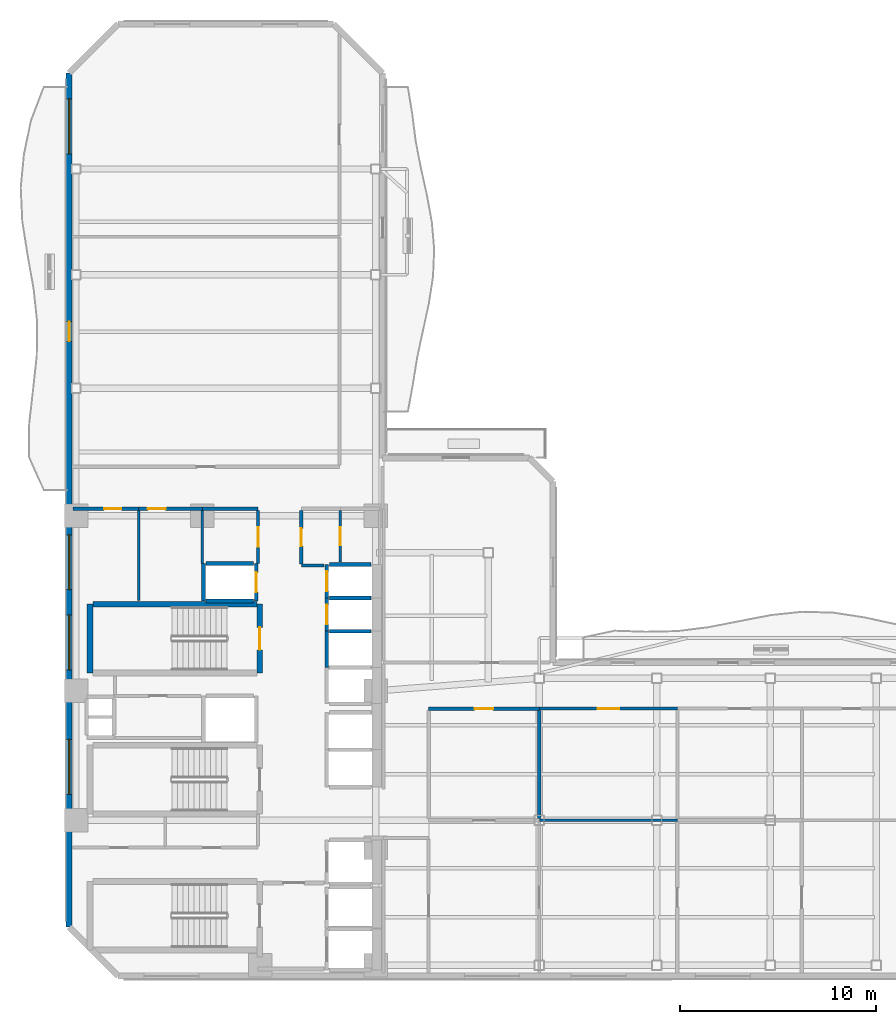
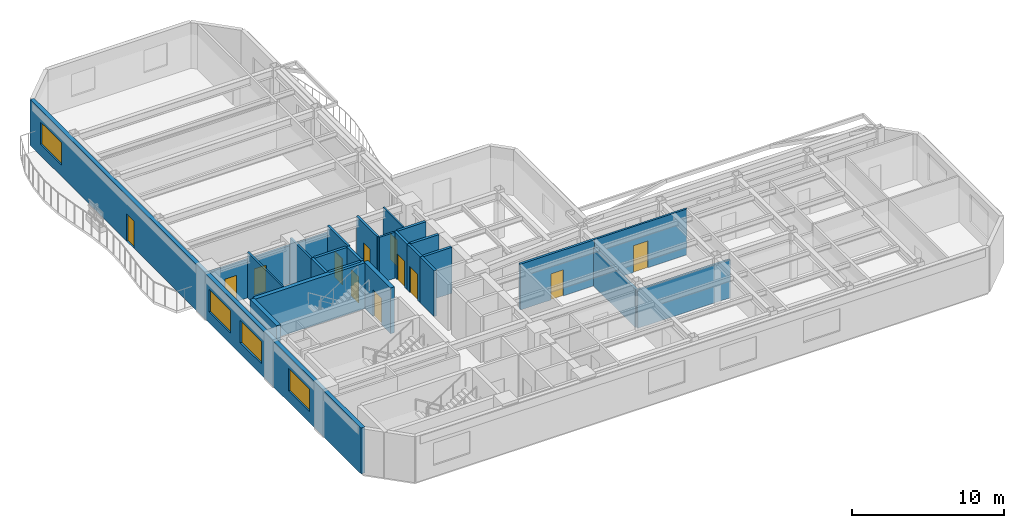
# One storey, part 4 of 12: 27 walls, 12 doors, 4 windows, 16 openings.
"""IFC4 building model written with IfcOpenShell, lengths in metres."""

from ifc_helpers import new_model, si_unit, direction, frame, frame_2d, origin, place, context, subcontext, project, spatial, rectangle, extrude, material, layer, layer_set, type_object, element, fill, save


model = new_model("IFC4")

# Units and contexts
model_context = context("Model", 3, precision=1e-05, world=origin(), true_north=direction((0.0, 1.0)))
body_context = subcontext(model_context, "Body", "Model", "MODEL_VIEW")
ifc_project = project(units=[si_unit("LENGTHUNIT", "METRE"), si_unit("AREAUNIT", "SQUARE_METRE"), si_unit("VOLUMEUNIT", "CUBIC_METRE"), si_unit("PLANEANGLEUNIT", "RADIAN"), si_unit("MASSUNIT", "GRAM", prefix="KILO")], contexts=[model_context])

# Site, building, storey
site_placement = place(None, origin())
site = spatial("IfcSite", under=ifc_project, at=site_placement, CompositionType="ELEMENT")
building_placement = place(site_placement, origin())
building = spatial("IfcBuilding", under=site, at=building_placement, Name="Mawjaban Terraces University", CompositionType="ELEMENT")
storey_placement = place(building_placement, frame((0.0, 0.0, 134.60009765625)))
storey = spatial("IfcBuildingStorey", under=building, at=storey_placement, Name="L32", CompositionType="ELEMENT", Elevation=134.60009765625)

# Wall, opening, door
ifc_material_1 = material(Name="Acoustic masonry blockwork", Category="masonry")
ifc_layer_1 = layer(ifc_material_1, 0.179931640625)
ifc_layer_set_1 = layer_set([ifc_layer_1], Name="Acoustic masonry blockwork")
wall_type_1 = type_object("IfcWallType", Name="AcousticStudioWall_180", PredefinedType="PARTITIONING", material=ifc_layer_set_1)
wall_1_placement = place(storey_placement, frame((40.35009765625, 13.64990234375, 0.0), z_axis=(0.0, 0.0, 1.0), x_axis=(1.0, 0.0, 0.0)))
wall_1 = element("IfcWall", 1, at=wall_1_placement, inside=storey, type_object=wall_type_1, Name="L32 Inner Terrace Gallery Corridor East Partition 16", PredefinedType="PARTITIONING", context=body_context, shape_type="SweptSolid", body=[
    extrude(rectangle(XDim=5.64990234375, YDim=0.179931640625, at=frame_2d((2.824951171875, 0.0))), origin(), (0.0, 0.0, 1.0), 3.68994140625),
])
opening_1_placement = place(wall_1_placement, frame((2.35009765625, 0.0, 0.0)))
opening_1 = element("IfcOpeningElement", 2, at=opening_1_placement, cuts=wall_1, Name="Opening ID-095", PredefinedType="OPENING", context=body_context, shape_type="SweptSolid", body=[
    extrude(rectangle(XDim=0.949951171875, YDim=2.10009765625, at=frame_2d((0.47509765625, 1.050048828125))), frame((0.0, 0.099853515625, 0.0), z_axis=(0.0, -1.0, 0.0), x_axis=(1.0, 0.0, 0.0)), (0.0, 0.0, 1.0), 0.199951171875),
])
ifc_material_2 = material(Name="Powder-coated steel frame and solid acoustic timber leaf", Category="steel")
door_type_1 = type_object("IfcDoorType", Name="StudioDoor_950x2100", OperationType="NOTDEFINED", PredefinedType="DOOR", material=ifc_material_2)
door_1_placement = place(opening_1_placement, origin())
door_1 = element("IfcDoor", 3, at=door_1_placement, inside=storey, type_object=door_type_1, Name="L32 Design Studio 3 Door", OperationType="SINGLE_SWING_LEFT", OverallHeight=2.10009765625, OverallWidth=0.949951171875, PredefinedType="DOOR", context=body_context, shape_type="SweptSolid", body=[
    extrude(rectangle(XDim=0.949951171875, YDim=2.10009765625, at=frame_2d((0.47509765625, 1.050048828125))), frame((0.0, 0.02490234375, 0.0), z_axis=(0.0, -1.0, 0.0), x_axis=(1.0, 0.0, 0.0)), (0.0, 0.0, 1.0), 0.050048828125),
])
fill(opening_1, door_1)

# Wall
wall_2_placement = place(storey_placement, frame((46.0, 8.034912109375, 0.0), z_axis=(0.0, 0.0, 1.0), x_axis=(0.0, 1.0, 0.0)))
element("IfcWall", 4, at=wall_2_placement, inside=storey, type_object=wall_type_1, Name="L32 Design Studio 3 Partition 46", PredefinedType="PARTITIONING", context=body_context, shape_type="SweptSolid", body=[
    extrude(rectangle(XDim=5.530029296875, YDim=0.179931640625, at=frame_2d((2.76513671875, 0.0))), origin(), (0.0, 0.0, 1.0), 3.073974609375),
])

# Wall, opening, door
ifc_material_3 = material(Name="Fire-rated gypsum board on steel stud", Category="steel")
ifc_layer_2 = layer(ifc_material_3, 0.159912109375)
ifc_layer_set_2 = layer_set([ifc_layer_2], Name="Fire-rated gypsum board on steel stud")
wall_type_2 = type_object("IfcWallType", Name="CorridorPartition_160", PredefinedType="PARTITIONING", material=ifc_layer_set_2)
wall_3_placement = place(storey_placement, frame((25.550048828125, 23.85009765625, 0.0), z_axis=(0.0, 0.0, 1.0), x_axis=(-1.0, 0.0, 0.0)))
wall_3 = element("IfcWall", 5, at=wall_3_placement, inside=storey, type_object=wall_type_2, Name="L32 Female Toilet Partition 3", PredefinedType="PARTITIONING", context=body_context, shape_type="SweptSolid", body=[
    extrude(rectangle(XDim=3.35009765625, YDim=0.159912109375, at=frame_2d((1.675048828125, 0.0))), origin(), (0.0, 0.0, 1.0), 3.073974609375),
])
opening_2_placement = place(wall_3_placement, frame((0.885009765625, 0.0, 0.0)))
opening_2 = element("IfcOpeningElement", 6, at=opening_2_placement, cuts=wall_3, Name="Opening ID-088", PredefinedType="OPENING", context=body_context, shape_type="SweptSolid", body=[
    extrude(rectangle(XDim=0.8798828125, YDim=2.10009765625, at=frame_2d((0.43994140625, 1.050048828125))), frame((0.0, 0.08984375, 0.0), z_axis=(0.0, -1.0, 0.0), x_axis=(1.0, 0.0, 0.0)), (0.0, 0.0, 1.0), 0.179931640625),
])
door_type_2 = type_object("IfcDoorType", Name="ToiletDoor_880x2100", OperationType="NOTDEFINED", PredefinedType="DOOR", material=ifc_material_2)
door_2_placement = place(opening_2_placement, origin())
door_2 = element("IfcDoor", 7, at=door_2_placement, inside=storey, type_object=door_type_2, Name="L32 Female Toilet Door", OperationType="SINGLE_SWING_LEFT", OverallHeight=2.10009765625, OverallWidth=0.8798828125, PredefinedType="DOOR", context=body_context, shape_type="SweptSolid", body=[
    extrude(rectangle(XDim=0.8798828125, YDim=2.10009765625, at=frame_2d((0.43994140625, 1.050048828125))), frame((0.0, 0.02490234375, 0.0), z_axis=(0.0, -1.0, 0.0), x_axis=(1.0, 0.0, 0.0)), (0.0, 0.0, 1.0), 0.050048828125),
])
fill(opening_2, door_2)

wall_4_placement = place(storey_placement, frame((28.800048828125, 23.85009765625, 0.0), z_axis=(0.0, 0.0, 1.0), x_axis=(-1.0, 0.0, 0.0)))
wall_4 = element("IfcWall", 8, at=wall_4_placement, inside=storey, type_object=wall_type_2, Name="L32 Staff Tea Pantry Partition 5", PredefinedType="PARTITIONING", context=body_context, shape_type="SweptSolid", body=[
    extrude(rectangle(XDim=3.25, YDim=0.159912109375, at=frame_2d((1.625, 0.0))), origin(), (0.0, 0.0, 1.0), 3.073974609375),
])
opening_3_placement = place(wall_4_placement, frame((1.875, 0.0, 0.0)))
opening_3 = element("IfcOpeningElement", 9, at=opening_3_placement, cuts=wall_4, Name="Opening ID-090", PredefinedType="OPENING", context=body_context, shape_type="SweptSolid", body=[
    extrude(rectangle(XDim=0.89990234375, YDim=2.10009765625, at=frame_2d((0.449951171875, 1.050048828125))), frame((0.0, 0.08984375, 0.0), z_axis=(0.0, -1.0, 0.0), x_axis=(1.0, 0.0, 0.0)), (0.0, 0.0, 1.0), 0.179931640625),
])
door_type_3 = type_object("IfcDoorType", Name="OfficeDoor_900x2100", OperationType="NOTDEFINED", PredefinedType="DOOR", material=ifc_material_2)
door_3_placement = place(opening_3_placement, origin())
door_3 = element("IfcDoor", 10, at=door_3_placement, inside=storey, type_object=door_type_3, Name="L32 Staff Tea Pantry Door", OperationType="SINGLE_SWING_RIGHT", OverallHeight=2.10009765625, OverallWidth=0.89990234375, PredefinedType="DOOR", context=body_context, shape_type="SweptSolid", body=[
    extrude(rectangle(XDim=0.89990234375, YDim=2.10009765625, at=frame_2d((0.449951171875, 1.050048828125))), frame((0.0, 0.02490234375, 0.0), z_axis=(0.0, -1.0, 0.0), x_axis=(1.0, 0.0, 0.0)), (0.0, 0.0, 1.0), 0.050048828125),
])
fill(opening_3, door_3)

# Walls
wall_5_placement = place(storey_placement, frame((31.64990234375, 23.85009765625, 0.0), z_axis=(0.0, 0.0, 1.0), x_axis=(-1.0, 0.0, 0.0)))
element("IfcWall", 11, at=wall_5_placement, inside=storey, type_object=wall_type_2, Name="L32 Academic Tutorial Alcove Partition 8", PredefinedType="PARTITIONING", context=body_context, shape_type="SweptSolid", body=[
    extrude(rectangle(XDim=2.849853515625, YDim=0.159912109375, at=frame_2d((1.4248046875, 0.0))), origin(), (0.0, 0.0, 1.0), 3.073974609375),
])
wall_6_placement = place(storey_placement, frame((35.02001953125, 20.949951171875, 0.0), z_axis=(0.0, 0.0, 1.0), x_axis=(-1.0, 0.0, 0.0)))
element("IfcWall", 12, at=wall_6_placement, inside=storey, type_object=wall_type_2, Name="L32 Passenger Lift Lobby Partition 10", PredefinedType="PARTITIONING", context=body_context, shape_type="SweptSolid", body=[
    extrude(rectangle(XDim=1.169921875, YDim=0.159912109375, at=frame_2d((0.5849609375, 0.0))), origin(), (0.0, 0.0, 1.0), 3.68994140625),
])

# Wall, opening, door
wall_7_placement = place(storey_placement, frame((31.64990234375, 23.77490234375, 0.0), z_axis=(0.0, 0.0, 1.0), x_axis=(0.0, -1.0, 0.0)))
wall_7 = element("IfcWall", 13, at=wall_7_placement, inside=storey, type_object=wall_type_2, Name="L32 Core North Lift Lobby Partition 33", PredefinedType="PARTITIONING", context=body_context, shape_type="SweptSolid", body=[
    extrude(rectangle(XDim=2.724853515625, YDim=0.159912109375, at=frame_2d((1.3623046875, 0.0))), origin(), (0.0, 0.0, 1.0), 3.68994140625),
])
opening_4_placement = place(wall_7_placement, frame((0.862060546875, 0.0, 0.0)))
opening_4 = element("IfcOpeningElement", 14, at=opening_4_placement, cuts=wall_7, Name="Opening ID-100", PredefinedType="OPENING", context=body_context, shape_type="SweptSolid", body=[
    extrude(rectangle(XDim=1.0, YDim=2.10009765625, at=frame_2d((0.5, 1.050048828125))), frame((0.0, 0.08984375, 0.0), z_axis=(0.0, -1.0, 0.0), x_axis=(1.0, 0.0, 0.0)), (0.0, 0.0, 1.0), 0.179931640625),
])
door_type_4 = type_object("IfcDoorType", Name="ClassroomDoor_1000x2100", OperationType="NOTDEFINED", PredefinedType="DOOR", material=ifc_material_2)
door_4_placement = place(opening_4_placement, origin())
door_4 = element("IfcDoor", 15, at=door_4_placement, inside=storey, type_object=door_type_4, Name="L32 Academic Tutorial Alcove Door", OperationType="SINGLE_SWING_LEFT", OverallHeight=2.10009765625, OverallWidth=1.0, PredefinedType="DOOR", context=body_context, shape_type="SweptSolid", body=[
    extrude(rectangle(XDim=1.0, YDim=2.10009765625, at=frame_2d((0.5, 1.050048828125))), frame((0.0, 0.02490234375, 0.0), z_axis=(0.0, -1.0, 0.0), x_axis=(1.0, 0.0, 0.0)), (0.0, 0.0, 1.0), 0.050048828125),
])
fill(opening_4, door_4)

wall_8_placement = place(storey_placement, frame((33.85009765625, 21.02490234375, 0.0), z_axis=(0.0, 0.0, 1.0), x_axis=(0.0, 1.0, 0.0)))
wall_8 = element("IfcWall", 16, at=wall_8_placement, inside=storey, type_object=wall_type_2, Name="L32 Core North Lift Lobby Partition 34", PredefinedType="PARTITIONING", context=body_context, shape_type="SweptSolid", body=[
    extrude(rectangle(XDim=2.75, YDim=0.159912109375, at=frame_2d((1.375, 0.0))), origin(), (0.0, 0.0, 1.0), 3.68994140625),
])
opening_5_placement = place(wall_8_placement, frame((0.925048828125, 0.0, 0.0)))
opening_5 = element("IfcOpeningElement", 17, at=opening_5_placement, cuts=wall_8, Name="Opening ID-090", PredefinedType="OPENING", context=body_context, shape_type="SweptSolid", body=[
    extrude(rectangle(XDim=0.89990234375, YDim=2.10009765625, at=frame_2d((0.449951171875, 1.050048828125))), frame((0.0, 0.08984375, 0.0), z_axis=(0.0, -1.0, 0.0), x_axis=(1.0, 0.0, 0.0)), (0.0, 0.0, 1.0), 0.179931640625),
])
door_5_placement = place(opening_5_placement, origin())
door_5 = element("IfcDoor", 18, at=door_5_placement, inside=storey, type_object=door_type_3, Name="L32 Departmental Resource Seminar Room Door", OperationType="SINGLE_SWING_LEFT", OverallHeight=2.10009765625, OverallWidth=0.89990234375, PredefinedType="DOOR", context=body_context, shape_type="SweptSolid", body=[
    extrude(rectangle(XDim=0.89990234375, YDim=2.10009765625, at=frame_2d((0.449951171875, 1.050048828125))), frame((0.0, 0.02490234375, 0.0), z_axis=(0.0, -1.0, 0.0), x_axis=(1.0, 0.0, 0.0)), (0.0, 0.0, 1.0), 0.050048828125),
])
fill(opening_5, door_5)

# Wall, openings, door, windows
ifc_material_4 = material(Name="Insulated terracotta rainscreen on concrete backup C40/50", Category="masonry")
ifc_layer_3 = layer(ifc_material_4, 0.300048828125)
ifc_layer_set_3 = layer_set([ifc_layer_3], Name="Insulated terracotta rainscreen on concrete backup C40/50")
wall_type_3 = type_object("IfcWallType", Name="ExtTerracottaWall_300", PredefinedType="SOLIDWALL", material=ifc_layer_set_3)
wall_9_placement = place(storey_placement, frame((22.0, 46.10009765625, 0.0), z_axis=(0.0, 0.0, 1.0), x_axis=(0.0, -1.0, 0.0)))
wall_9 = element("IfcWall", 19, at=wall_9_placement, inside=storey, type_object=wall_type_3, Name="L32 Exterior Terracotta Wall 13", PredefinedType="SOLIDWALL", context=body_context, shape_type="SweptSolid", body=[
    extrude(rectangle(XDim=43.60009765625, YDim=0.300048828125, at=frame_2d((21.800048828125, 0.0))), origin(), (0.0, 0.0, 1.0), 3.68994140625),
])
opening_6_placement = place(wall_9_placement, frame((12.699951171875, 0.0, 0.0)))
opening_6 = element("IfcOpeningElement", 20, at=opening_6_placement, cuts=wall_9, Name="Opening BD-100", PredefinedType="OPENING", context=body_context, shape_type="SweptSolid", body=[
    extrude(rectangle(XDim=1.0, YDim=2.199951171875, at=frame_2d((0.5, 1.10009765625))), frame((0.0, 0.159912109375, 0.0), z_axis=(0.0, -1.0, 0.0), x_axis=(1.0, 0.0, 0.0)), (0.0, 0.0, 1.0), 0.320068359375),
])
opening_7_placement = place(wall_9_placement, frame((1.324951171875, 0.0, 0.89990234375)))
opening_7 = element("IfcOpeningElement", 21, at=opening_7_placement, cuts=wall_9, Name="Opening W-09", PredefinedType="OPENING", context=body_context, shape_type="SweptSolid", body=[
    extrude(rectangle(XDim=2.800048828125, YDim=1.800048828125, at=frame_2d((1.39990234375, 0.89990234375))), frame((0.0, 0.159912109375, 0.0), z_axis=(0.0, -1.0, 0.0), x_axis=(1.0, 0.0, 0.0)), (0.0, 0.0, 1.0), 0.320068359375),
])
opening_8_placement = place(wall_9_placement, frame((23.574951171875, 0.0, 0.89990234375)))
opening_8 = element("IfcOpeningElement", 22, at=opening_8_placement, cuts=wall_9, Name="Opening W-09", PredefinedType="OPENING", context=body_context, shape_type="SweptSolid", body=[
    extrude(rectangle(XDim=2.800048828125, YDim=1.800048828125, at=frame_2d((1.39990234375, 0.89990234375))), frame((0.0, 0.159912109375, 0.0), z_axis=(0.0, -1.0, 0.0), x_axis=(1.0, 0.0, 0.0)), (0.0, 0.0, 1.0), 0.320068359375),
])
opening_9_placement = place(wall_9_placement, frame((27.675048828125, 0.0, 0.89990234375)))
opening_9 = element("IfcOpeningElement", 23, at=opening_9_placement, cuts=wall_9, Name="Opening W-09", PredefinedType="OPENING", context=body_context, shape_type="SweptSolid", body=[
    extrude(rectangle(XDim=2.800048828125, YDim=1.800048828125, at=frame_2d((1.39990234375, 0.89990234375))), frame((0.0, 0.159912109375, 0.0), z_axis=(0.0, -1.0, 0.0), x_axis=(1.0, 0.0, 0.0)), (0.0, 0.0, 1.0), 0.320068359375),
])
opening_10_placement = place(wall_9_placement, frame((34.02490234375, 0.0, 0.89990234375)))
opening_10 = element("IfcOpeningElement", 24, at=opening_10_placement, cuts=wall_9, Name="Opening W-09", PredefinedType="OPENING", context=body_context, shape_type="SweptSolid", body=[
    extrude(rectangle(XDim=2.800048828125, YDim=1.800048828125, at=frame_2d((1.39990234375, 0.89990234375))), frame((0.0, 0.159912109375, 0.0), z_axis=(0.0, -1.0, 0.0), x_axis=(1.0, 0.0, 0.0)), (0.0, 0.0, 1.0), 0.320068359375),
])
ifc_material_5 = material(Name="Thermally broken anodised aluminium and laminated safety glass", Category="aluminium")
door_type_5 = type_object("IfcDoorType", Name="BalconyGlazedDoor_1000x2200", OperationType="NOTDEFINED", PredefinedType="DOOR", material=ifc_material_5)
door_6_placement = place(opening_6_placement, origin())
door_6 = element("IfcDoor", 25, at=door_6_placement, inside=storey, type_object=door_type_5, Name="L32 Balcony Access Door west", OperationType="SINGLE_SWING_LEFT", OverallHeight=2.199951171875, OverallWidth=1.0, PredefinedType="DOOR", context=body_context, shape_type="SweptSolid", body=[
    extrude(rectangle(XDim=1.0, YDim=2.199951171875, at=frame_2d((0.5, 1.10009765625))), frame((0.0, 0.02490234375, 0.0), z_axis=(0.0, -1.0, 0.0), x_axis=(1.0, 0.0, 0.0)), (0.0, 0.0, 1.0), 0.050048828125),
])
fill(opening_6, door_6)
ifc_material_6 = material(Name="Low-E solar-control double glazing in thermally broken aluminium frame", Category="aluminium")
window_type = type_object("IfcWindowType", Name="Win_2800x1800", PartitioningType="SINGLE_PANEL", PredefinedType="WINDOW", material=ifc_material_6)
window_1_placement = place(opening_7_placement, origin())
window_1 = element("IfcWindow", 26, at=window_1_placement, inside=storey, type_object=window_type, Name="L32 Facade Window 13.1", OverallHeight=1.800048828125, OverallWidth=2.800048828125, PartitioningType="SINGLE_PANEL", PredefinedType="WINDOW", context=body_context, shape_type="SweptSolid", body=[
    extrude(rectangle(XDim=2.800048828125, YDim=1.800048828125, at=frame_2d((1.39990234375, 0.89990234375))), frame((0.0, 0.030029296875, 0.0), z_axis=(0.0, -1.0, 0.0), x_axis=(1.0, 0.0, 0.0)), (0.0, 0.0, 1.0), 0.06005859375),
])
fill(opening_7, window_1)
window_2_placement = place(opening_8_placement, origin())
window_2 = element("IfcWindow", 27, at=window_2_placement, inside=storey, type_object=window_type, Name="L32 Facade Window 13.5", OverallHeight=1.800048828125, OverallWidth=2.800048828125, PartitioningType="SINGLE_PANEL", PredefinedType="WINDOW", context=body_context, shape_type="SweptSolid", body=[
    extrude(rectangle(XDim=2.800048828125, YDim=1.800048828125, at=frame_2d((1.39990234375, 0.89990234375))), frame((0.0, 0.030029296875, 0.0), z_axis=(0.0, -1.0, 0.0), x_axis=(1.0, 0.0, 0.0)), (0.0, 0.0, 1.0), 0.06005859375),
])
fill(opening_8, window_2)
window_3_placement = place(opening_9_placement, origin())
window_3 = element("IfcWindow", 28, at=window_3_placement, inside=storey, type_object=window_type, Name="L32 Facade Window 13.6", OverallHeight=1.800048828125, OverallWidth=2.800048828125, PartitioningType="SINGLE_PANEL", PredefinedType="WINDOW", context=body_context, shape_type="SweptSolid", body=[
    extrude(rectangle(XDim=2.800048828125, YDim=1.800048828125, at=frame_2d((1.39990234375, 0.89990234375))), frame((0.0, 0.030029296875, 0.0), z_axis=(0.0, -1.0, 0.0), x_axis=(1.0, 0.0, 0.0)), (0.0, 0.0, 1.0), 0.06005859375),
])
fill(opening_9, window_3)
window_4_placement = place(opening_10_placement, origin())
window_4 = element("IfcWindow", 29, at=window_4_placement, inside=storey, type_object=window_type, Name="L32 Facade Window 13.7", OverallHeight=1.800048828125, OverallWidth=2.800048828125, PartitioningType="SINGLE_PANEL", PredefinedType="WINDOW", context=body_context, shape_type="SweptSolid", body=[
    extrude(rectangle(XDim=2.800048828125, YDim=1.800048828125, at=frame_2d((1.39990234375, 0.89990234375))), frame((0.0, 0.030029296875, 0.0), z_axis=(0.0, -1.0, 0.0), x_axis=(1.0, 0.0, 0.0)), (0.0, 0.0, 1.0), 0.06005859375),
])
fill(opening_10, window_4)

# Walls
ifc_material_7 = material(Name="Concrete C40/50", Category="concrete")
ifc_layer_4 = layer(ifc_material_7, 0.199951171875)
ifc_layer_set_4 = layer_set([ifc_layer_4], Name="Concrete C40/50")
wall_type_4 = type_object("IfcWallType", Name="FireLobbyWall_200", PredefinedType="SOLIDWALL", material=ifc_layer_set_4)
wall_10_placement = place(storey_placement, frame((35.14990234375, 17.60009765625, 0.0), z_axis=(0.0, 0.0, 1.0), x_axis=(0.0, -1.0, 0.0)))
element("IfcWall", 30, at=wall_10_placement, inside=storey, type_object=wall_type_4, Name="L32 Lift OL-2 Hoistway Wall West", PredefinedType="SOLIDWALL", context=body_context, shape_type="SweptSolid", body=[
    extrude(rectangle(XDim=1.85009765625, YDim=0.199951171875, at=frame_2d((0.925048828125, 0.0))), origin(), (0.0, 0.0, 1.0), 3.68994140625),
])
wall_11_placement = place(storey_placement, frame((37.419921875, 17.60009765625, 0.0), z_axis=(0.0, 0.0, 1.0), x_axis=(-1.0, 0.0, 0.0)))
element("IfcWall", 31, at=wall_11_placement, inside=storey, type_object=wall_type_4, Name="L32 Lift OL-2 Hoistway Wall North", PredefinedType="SOLIDWALL", context=body_context, shape_type="SweptSolid", body=[
    extrude(rectangle(XDim=2.139892578125, YDim=0.199951171875, at=frame_2d((1.06982421875, 0.0))), origin(), (0.0, 0.0, 1.0), 3.68994140625),
])

# Wall, opening, door
wall_12_placement = place(storey_placement, frame((35.14990234375, 19.300048828125, 0.0), z_axis=(0.0, 0.0, 1.0), x_axis=(0.0, -1.0, 0.0)))
wall_12 = element("IfcWall", 32, at=wall_12_placement, inside=storey, type_object=wall_type_4, Name="L32 Lift PL-M1 Hoistway Wall West", PredefinedType="SOLIDWALL", context=body_context, shape_type="SweptSolid", body=[
    extrude(rectangle(XDim=1.699951171875, YDim=0.199951171875, at=frame_2d((0.85009765625, 0.0))), origin(), (0.0, 0.0, 1.0), 3.68994140625),
])
opening_11_placement = place(wall_12_placement, frame((0.35009765625, 0.0, 0.0)))
opening_11 = element("IfcOpeningElement", 33, at=opening_11_placement, cuts=wall_12, Name="Opening LD-PL-M1", PredefinedType="OPENING", context=body_context, shape_type="SweptSolid", body=[
    extrude(rectangle(XDim=1.0, YDim=2.10009765625, at=frame_2d((0.5, 1.050048828125))), frame((0.0, 0.10986328125, 0.0), z_axis=(0.0, -1.0, 0.0), x_axis=(1.0, 0.0, 0.0)), (0.0, 0.0, 1.0), 0.219970703125),
])
ifc_material_8 = material(Name="Powder-coated steel frame and fire-rated steel-faced leaf", Category="steel")
door_type_6 = type_object("IfcDoorType", Name="LiftLandingSliding_1000x2100", OperationType="NOTDEFINED", PredefinedType="DOOR", material=ifc_material_8)
door_7_placement = place(opening_11_placement, origin())
door_7 = element("IfcDoor", 34, at=door_7_placement, inside=storey, type_object=door_type_6, Name="L32 Lift PL-M1 Sliding Landing Door", OperationType="DOUBLE_DOOR_SLIDING", OverallHeight=2.10009765625, OverallWidth=1.0, PredefinedType="DOOR", context=body_context, shape_type="SweptSolid", body=[
    extrude(rectangle(XDim=1.0, YDim=2.10009765625, at=frame_2d((0.5, 1.050048828125))), frame((0.0, 0.02490234375, 0.0), z_axis=(0.0, -1.0, 0.0), x_axis=(1.0, 0.0, 0.0)), (0.0, 0.0, 1.0), 0.050048828125),
])
fill(opening_11, door_7)

# Wall
wall_13_placement = place(storey_placement, frame((37.419921875, 19.300048828125, 0.0), z_axis=(0.0, 0.0, 1.0), x_axis=(-1.0, 0.0, 0.0)))
element("IfcWall", 35, at=wall_13_placement, inside=storey, type_object=wall_type_4, Name="L32 Lift PL-M1 Hoistway Wall North", PredefinedType="SOLIDWALL", context=body_context, shape_type="SweptSolid", body=[
    extrude(rectangle(XDim=2.139892578125, YDim=0.199951171875, at=frame_2d((1.06982421875, 0.0))), origin(), (0.0, 0.0, 1.0), 3.68994140625),
])

# Wall, opening, door
wall_14_placement = place(storey_placement, frame((35.14990234375, 21.0, 0.0), z_axis=(0.0, 0.0, 1.0), x_axis=(0.0, -1.0, 0.0)))
wall_14 = element("IfcWall", 36, at=wall_14_placement, inside=storey, type_object=wall_type_4, Name="L32 Lift PL-M2 Hoistway Wall West", PredefinedType="SOLIDWALL", context=body_context, shape_type="SweptSolid", body=[
    extrude(rectangle(XDim=1.699951171875, YDim=0.199951171875, at=frame_2d((0.85009765625, 0.0))), origin(), (0.0, 0.0, 1.0), 3.68994140625),
])
opening_12_placement = place(wall_14_placement, frame((0.35009765625, 0.0, 0.0)))
opening_12 = element("IfcOpeningElement", 37, at=opening_12_placement, cuts=wall_14, Name="Opening LD-PL-M2", PredefinedType="OPENING", context=body_context, shape_type="SweptSolid", body=[
    extrude(rectangle(XDim=1.0, YDim=2.10009765625, at=frame_2d((0.5, 1.050048828125))), frame((0.0, 0.10986328125, 0.0), z_axis=(0.0, -1.0, 0.0), x_axis=(1.0, 0.0, 0.0)), (0.0, 0.0, 1.0), 0.219970703125),
])
door_8_placement = place(opening_12_placement, origin())
door_8 = element("IfcDoor", 38, at=door_8_placement, inside=storey, type_object=door_type_6, Name="L32 Lift PL-M2 Sliding Landing Door", OperationType="DOUBLE_DOOR_SLIDING", OverallHeight=2.10009765625, OverallWidth=1.0, PredefinedType="DOOR", context=body_context, shape_type="SweptSolid", body=[
    extrude(rectangle(XDim=1.0, YDim=2.10009765625, at=frame_2d((0.5, 1.050048828125))), frame((0.0, 0.02490234375, 0.0), z_axis=(0.0, -1.0, 0.0), x_axis=(1.0, 0.0, 0.0)), (0.0, 0.0, 1.0), 0.050048828125),
])
fill(opening_12, door_8)

# Walls
wall_15_placement = place(storey_placement, frame((37.419921875, 21.0, 0.0), z_axis=(0.0, 0.0, 1.0), x_axis=(-1.0, 0.0, 0.0)))
element("IfcWall", 39, at=wall_15_placement, inside=storey, type_object=wall_type_4, Name="L32 Lift PL-M2 Hoistway Wall North", PredefinedType="SOLIDWALL", context=body_context, shape_type="SweptSolid", body=[
    extrude(rectangle(XDim=2.139892578125, YDim=0.199951171875, at=frame_2d((1.06982421875, 0.0))), origin(), (0.0, 0.0, 1.0), 3.68994140625),
])
wall_16_placement = place(storey_placement, frame((28.85009765625, 21.050048828125, 0.0), z_axis=(0.0, 0.0, 1.0), x_axis=(0.0, -1.0, 0.0)))
element("IfcWall", 40, at=wall_16_placement, inside=storey, type_object=wall_type_4, Name="L32 Lift PL-M3 Hoistway Wall West", PredefinedType="SOLIDWALL", context=body_context, shape_type="SweptSolid", body=[
    extrude(rectangle(XDim=1.900146484375, YDim=0.199951171875, at=frame_2d((0.9501953125, 0.0))), origin(), (0.0, 0.0, 1.0), 3.68994140625),
])

# Wall, opening, door
wall_17_placement = place(storey_placement, frame((31.550048828125, 19.14990234375, 0.0), z_axis=(0.0, 0.0, 1.0), x_axis=(0.0, 1.0, 0.0)))
wall_17 = element("IfcWall", 41, at=wall_17_placement, inside=storey, type_object=wall_type_4, Name="L32 Lift PL-M3 Hoistway Wall East", PredefinedType="SOLIDWALL", context=body_context, shape_type="SweptSolid", body=[
    extrude(rectangle(XDim=1.900146484375, YDim=0.199951171875, at=frame_2d((0.9501953125, 0.0))), origin(), (0.0, 0.0, 1.0), 3.68994140625),
])
opening_13_placement = place(wall_17_placement, frame((0.449951171875, 0.0, 0.0)))
opening_13 = element("IfcOpeningElement", 42, at=opening_13_placement, cuts=wall_17, Name="Opening LD-PL-M3", PredefinedType="OPENING", context=body_context, shape_type="SweptSolid", body=[
    extrude(rectangle(XDim=1.0, YDim=2.10009765625, at=frame_2d((0.5, 1.050048828125))), frame((0.0, 0.10986328125, 0.0), z_axis=(0.0, -1.0, 0.0), x_axis=(1.0, 0.0, 0.0)), (0.0, 0.0, 1.0), 0.219970703125),
])
door_9_placement = place(opening_13_placement, origin())
door_9 = element("IfcDoor", 43, at=door_9_placement, inside=storey, type_object=door_type_6, Name="L32 Lift PL-M3 Sliding Landing Door", OperationType="DOUBLE_DOOR_SLIDING", OverallHeight=2.10009765625, OverallWidth=1.0, PredefinedType="DOOR", context=body_context, shape_type="SweptSolid", body=[
    extrude(rectangle(XDim=1.0, YDim=2.10009765625, at=frame_2d((0.5, 1.050048828125))), frame((0.0, 0.02490234375, 0.0), z_axis=(0.0, -1.0, 0.0), x_axis=(1.0, 0.0, 0.0)), (0.0, 0.0, 1.0), 0.050048828125),
])
fill(opening_13, door_9)

# Walls
for number, where, z_axis, x_axis, name in (
    (44, (28.97998046875, 19.14990234375, 0.0), (0.0, 0.0, 1.0), (1.0, 0.0, 0.0), "L32 Lift PL-M3 Hoistway Wall South"),
    (45, (31.419921875, 21.050048828125, 0.0), (0.0, 0.0, 1.0), (-1.0, 0.0, 0.0), "L32 Lift PL-M3 Hoistway Wall North"),
):
    element("IfcWall", number, at=place(storey_placement, frame(where, z_axis=z_axis, x_axis=x_axis)), inside=storey, type_object=wall_type_4, Name=name, PredefinedType="SOLIDWALL", context=body_context, shape_type="SweptSolid", body=[
        extrude(rectangle(XDim=2.43994140625, YDim=0.199951171875, at=frame_2d((1.219970703125, 0.0))), origin(), (0.0, 0.0, 1.0), 3.68994140625),
    ])

# Wall, opening, door
ifc_material_9 = material(Name="Moisture-resistant gypsum board on steel stud", Category="steel")
ifc_layer_5 = layer(ifc_material_9, 0.14501953125)
ifc_layer_set_5 = layer_set([ifc_layer_5], Name="Moisture-resistant gypsum board on steel stud")
wall_type_5 = type_object("IfcWallType", Name="LabPartition_145", PredefinedType="PARTITIONING", material=ifc_layer_set_5)
wall_18_placement = place(storey_placement, frame((46.0, 13.64990234375, 0.0), z_axis=(0.0, 0.0, 1.0), x_axis=(1.0, 0.0, 0.0)))
wall_18 = element("IfcWall", 46, at=wall_18_placement, inside=storey, type_object=wall_type_5, Name="L32 Inner Terrace Gallery Corridor East Partition 20", PredefinedType="PARTITIONING", context=body_context, shape_type="SweptSolid", body=[
    extrude(rectangle(XDim=7.050048828125, YDim=0.14501953125, at=frame_2d((3.52490234375, 0.0))), origin(), (0.0, 0.0, 1.0), 3.68994140625),
])
opening_14_placement = place(wall_18_placement, frame((2.97509765625, 0.0, 0.0)))
opening_14 = element("IfcOpeningElement", 47, at=opening_14_placement, cuts=wall_18, Name="Opening ID-110", PredefinedType="OPENING", context=body_context, shape_type="SweptSolid", body=[
    extrude(rectangle(XDim=1.10009765625, YDim=2.14990234375, at=frame_2d((0.550048828125, 1.074951171875))), frame((0.0, 0.08251953125, 0.0), z_axis=(0.0, -1.0, 0.0), x_axis=(1.0, 0.0, 0.0)), (0.0, 0.0, 1.0), 0.1650390625),
])
door_type_7 = type_object("IfcDoorType", Name="LabDoor_1100x2150", OperationType="NOTDEFINED", PredefinedType="DOOR", material=ifc_material_2)
door_10_placement = place(opening_14_placement, origin())
door_10 = element("IfcDoor", 48, at=door_10_placement, inside=storey, type_object=door_type_7, Name="L32 Teaching Laboratory 5 Door", OperationType="SINGLE_SWING_RIGHT", OverallHeight=2.14990234375, OverallWidth=1.10009765625, PredefinedType="DOOR", context=body_context, shape_type="SweptSolid", body=[
    extrude(rectangle(XDim=1.10009765625, YDim=2.14990234375, at=frame_2d((0.550048828125, 1.074951171875))), frame((0.0, 0.02490234375, 0.0), z_axis=(0.0, -1.0, 0.0), x_axis=(1.0, 0.0, 0.0)), (0.0, 0.0, 1.0), 0.050048828125),
])
fill(opening_14, door_10)

# Walls
wall_19_placement = place(storey_placement, frame((53.050048828125, 7.949951171875, 0.0), z_axis=(0.0, 0.0, 1.0), x_axis=(-1.0, 0.0, 0.0)))
element("IfcWall", 49, at=wall_19_placement, inside=storey, type_object=wall_type_5, Name="L32 Computational Laboratory 4 Partition 21", PredefinedType="PARTITIONING", context=body_context, shape_type="SweptSolid", body=[
    extrude(rectangle(XDim=7.050048828125, YDim=0.14501953125, at=frame_2d((3.52490234375, 0.0))), origin(), (0.0, 0.0, 1.0), 3.073974609375),
])
ifc_material_10 = material(Name="Gypsum plasterboard on steel stud", Category="steel")
ifc_layer_6 = layer(ifc_material_10, 0.125)
ifc_layer_set_6 = layer_set([ifc_layer_6], Name="Gypsum plasterboard on steel stud")
wall_type_6 = type_object("IfcWallType", Name="OfficePartition_125", PredefinedType="PARTITIONING", material=ifc_layer_set_6)
wall_20_placement = place(storey_placement, frame((28.800048828125, 23.77490234375, 0.0), z_axis=(0.0, 0.0, 1.0), x_axis=(0.0, -1.0, 0.0)))
element("IfcWall", 50, at=wall_20_placement, inside=storey, type_object=wall_type_6, Name="L32 Academic Tutorial Alcove Partition 31", PredefinedType="PARTITIONING", context=body_context, shape_type="SweptSolid", body=[
    extrude(rectangle(XDim=2.724853515625, YDim=0.125, at=frame_2d((1.3623046875, 0.0))), origin(), (0.0, 0.0, 1.0), 3.68994140625),
])

# Wall, opening, door
wall_21_placement = place(storey_placement, frame((35.85009765625, 21.1298828125, 0.0), z_axis=(0.0, 0.0, 1.0), x_axis=(0.0, 1.0, 0.0)))
wall_21 = element("IfcWall", 51, at=wall_21_placement, inside=storey, type_object=wall_type_6, Name="L32 Departmental Resource Seminar Room Partition 37", PredefinedType="PARTITIONING", context=body_context, shape_type="SweptSolid", body=[
    extrude(rectangle(XDim=2.64501953125, YDim=0.125, at=frame_2d((1.322509765625, 0.0))), origin(), (0.0, 0.0, 1.0), 3.68994140625),
])
opening_15_placement = place(wall_21_placement, frame((0.8720703125, 0.0, 0.0)))
opening_15 = element("IfcOpeningElement", 52, at=opening_15_placement, cuts=wall_21, Name="Opening ID-090", PredefinedType="OPENING", context=body_context, shape_type="SweptSolid", body=[
    extrude(rectangle(XDim=0.89990234375, YDim=2.10009765625, at=frame_2d((0.449951171875, 1.050048828125))), frame((0.0, 0.072509765625, 0.0), z_axis=(0.0, -1.0, 0.0), x_axis=(1.0, 0.0, 0.0)), (0.0, 0.0, 1.0), 0.14501953125),
])
door_11_placement = place(opening_15_placement, origin())
door_11 = element("IfcDoor", 53, at=door_11_placement, inside=storey, type_object=door_type_3, Name="L32 Faculty Archive Closet Door", OperationType="SINGLE_SWING_RIGHT", OverallHeight=2.10009765625, OverallWidth=0.89990234375, PredefinedType="DOOR", context=body_context, shape_type="SweptSolid", body=[
    extrude(rectangle(XDim=0.89990234375, YDim=2.10009765625, at=frame_2d((0.449951171875, 1.050048828125))), frame((0.0, 0.02490234375, 0.0), z_axis=(0.0, -1.0, 0.0), x_axis=(1.0, 0.0, 0.0)), (0.0, 0.0, 1.0), 0.050048828125),
])
fill(opening_15, door_11)

# Walls
ifc_material_11 = material(Name="Concrete C60/75", Category="concrete")
ifc_layer_7 = layer(ifc_material_11, 0.300048828125)
ifc_layer_set_7 = layer_set([ifc_layer_7], Name="Concrete C60/75")
wall_type_7 = type_object("IfcWallType", Name="StairShaftWall_300", PredefinedType="SHEAR", material=ifc_layer_set_7)
wall_22_placement = place(storey_placement, frame((31.580078125, 18.97998046875, 0.0), z_axis=(0.0, 0.0, 1.0), x_axis=(-1.0, 0.0, 0.0)))
element("IfcWall", 54, at=wall_22_placement, inside=storey, type_object=wall_type_7, Name="L32 ST-2 Stair Shaft Wall 1", PredefinedType="SHEAR", context=body_context, shape_type="SweptSolid", body=[
    extrude(rectangle(XDim=8.360107421875, YDim=0.300048828125, at=frame_2d((4.18017578125, 0.0))), origin(), (0.0, 0.0, 1.0), 3.68994140625),
])
wall_23_placement = place(storey_placement, frame((23.070068359375, 18.97998046875, 0.0), z_axis=(0.0, 0.0, 1.0), x_axis=(0.0, -1.0, 0.0)))
element("IfcWall", 55, at=wall_23_placement, inside=storey, type_object=wall_type_7, Name="L32 ST-2 Stair Shaft Wall 2", PredefinedType="SHEAR", context=body_context, shape_type="SweptSolid", body=[
    extrude(rectangle(XDim=3.510009765625, YDim=0.300048828125, at=frame_2d((1.7548828125, 0.0))), origin(), (0.0, 0.0, 1.0), 3.68994140625),
])

# Wall, opening, door
wall_24_placement = place(storey_placement, frame((31.72998046875, 15.469970703125, 0.0), z_axis=(0.0, 0.0, 1.0), x_axis=(0.0, 1.0, 0.0)))
wall_24 = element("IfcWall", 56, at=wall_24_placement, inside=storey, type_object=wall_type_7, Name="L32 ST-2 Stair Shaft Wall 4", PredefinedType="SHEAR", context=body_context, shape_type="SweptSolid", body=[
    extrude(rectangle(XDim=3.510009765625, YDim=0.300048828125, at=frame_2d((1.7548828125, 0.0))), origin(), (0.0, 0.0, 1.0), 3.68994140625),
])
opening_16_placement = place(wall_24_placement, frame((1.179931640625, 0.0, 0.0)))
opening_16 = element("IfcOpeningElement", 57, at=opening_16_placement, cuts=wall_24, Name="Opening FD-115", PredefinedType="OPENING", context=body_context, shape_type="SweptSolid", body=[
    extrude(rectangle(XDim=1.14990234375, YDim=2.14990234375, at=frame_2d((0.574951171875, 1.074951171875))), frame((0.0, 0.159912109375, 0.0), z_axis=(0.0, -1.0, 0.0), x_axis=(1.0, 0.0, 0.0)), (0.0, 0.0, 1.0), 0.320068359375),
])
door_type_8 = type_object("IfcDoorType", Name="FireStairDoor_1150x2150", OperationType="NOTDEFINED", PredefinedType="DOOR", material=ifc_material_8)
door_12_placement = place(opening_16_placement, origin())
door_12 = element("IfcDoor", 58, at=door_12_placement, inside=storey, type_object=door_type_8, Name="L32 ST-2 Pressurised Stair Fire Door", OperationType="SINGLE_SWING_RIGHT", OverallHeight=2.14990234375, OverallWidth=1.14990234375, PredefinedType="DOOR", context=body_context, shape_type="SweptSolid", body=[
    extrude(rectangle(XDim=1.14990234375, YDim=2.14990234375, at=frame_2d((0.574951171875, 1.074951171875))), frame((0.0, 0.02490234375, 0.0), z_axis=(0.0, -1.0, 0.0), x_axis=(1.0, 0.0, 0.0)), (0.0, 0.0, 1.0), 0.050048828125),
])
fill(opening_16, door_12)

# Wall
ifc_material_12 = material(Name="Cement-board wet-room partition", Category="masonry")
ifc_layer_8 = layer(ifc_material_12, 0.135009765625)
ifc_layer_set_8 = layer_set([ifc_layer_8], Name="Cement-board wet-room partition")
wall_type_8 = type_object("IfcWallType", Name="WetRoomPartition_135", PredefinedType="PARTITIONING", material=ifc_layer_set_8)
wall_25_placement = place(storey_placement, frame((25.550048828125, 19.159912109375, 0.0), z_axis=(0.0, 0.0, 1.0), x_axis=(0.0, 1.0, 0.0)))
element("IfcWall", 59, at=wall_25_placement, inside=storey, type_object=wall_type_8, Name="L32 Female Toilet Partition 29", PredefinedType="PARTITIONING", context=body_context, shape_type="SweptSolid", body=[
    extrude(rectangle(XDim=4.614990234375, YDim=0.135009765625, at=frame_2d((2.3076171875, 0.0))), origin(), (0.0, 0.0, 1.0), 3.68994140625),
])

save(model, "model.ifc")
